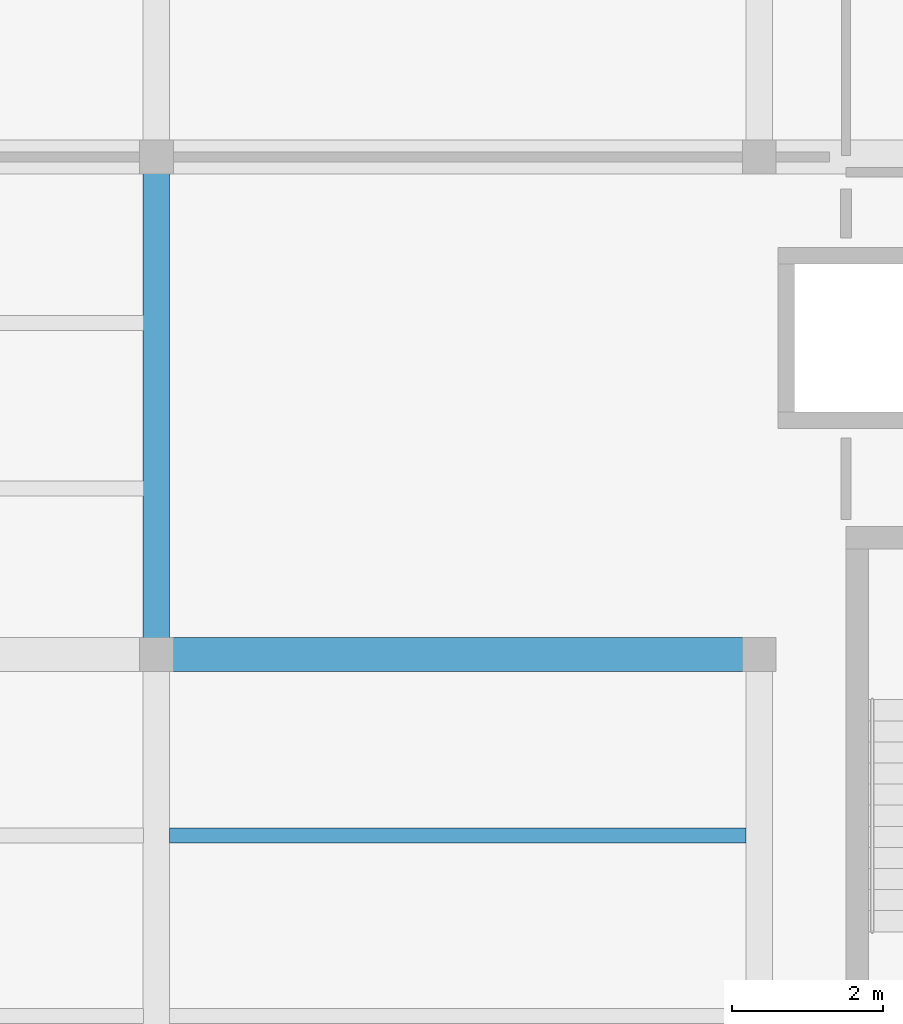
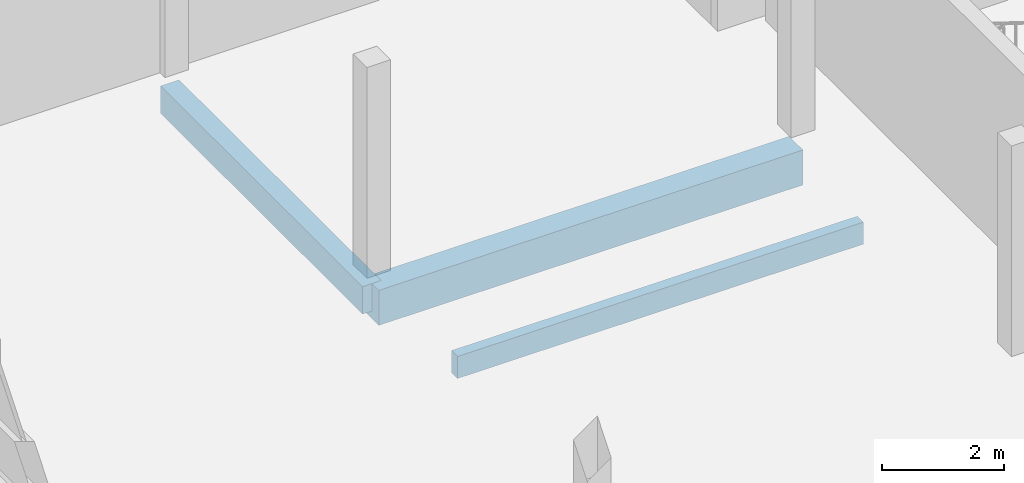
# One storey, part 40 of 182: 3 beams.
"""IFC4 building model written with IfcOpenShell, lengths in metres."""

from ifc_helpers import new_model, si_unit, direction, frame, origin, origin_2d, place, context, subcontext, project, spatial, rectangle, extrude, material, material_profile, profile_set, type_object, element, save


model = new_model("IFC4")

# Units and contexts
model_context = context("Model", 3, precision=1e-05, world=origin(), true_north=direction((0.0, 1.0)))
body_context = subcontext(model_context, "Body", "Model", "MODEL_VIEW")
ifc_project = project(units=[si_unit("LENGTHUNIT", "METRE"), si_unit("AREAUNIT", "SQUARE_METRE"), si_unit("VOLUMEUNIT", "CUBIC_METRE"), si_unit("PLANEANGLEUNIT", "RADIAN"), si_unit("MASSUNIT", "GRAM", prefix="KILO")], contexts=[model_context])

# Site, building, storey
site_placement = place(None, origin())
site = spatial("IfcSite", under=ifc_project, at=site_placement, CompositionType="ELEMENT")
building_placement = place(site_placement, origin())
building = spatial("IfcBuilding", under=site, at=building_placement, Name="Chiffa Square Polytechnic", CompositionType="ELEMENT")
storey_placement = place(building_placement, frame((0.0, 0.0, 9.60009765625)))
storey = spatial("IfcBuildingStorey", under=building, at=storey_placement, Name="L02", CompositionType="ELEMENT", Elevation=9.60009765625)

# Beams
ifc_material_1 = material(Name="Concrete C35/45", Category="concrete")
ifc_material_profile_1 = material_profile(ifc_material_1, rectangle(XDim=0.35009765625, YDim=0.550048828125, at=origin_2d()), Name="RC 350x550")
ifc_profile_set_1 = profile_set([ifc_material_profile_1], Name="Concrete C35/45")
beam_type_1 = type_object("IfcBeamType", Name="BM-RC-350X550", PredefinedType="BEAM", material=ifc_profile_set_1)
beam_1_placement = place(storey_placement, frame((8.0, 51.0, -0.59521484375), z_axis=(0.0, 1.0, 0.0), x_axis=(-1.0, 0.0, 0.0)))
element("IfcBeam", 1, at=beam_1_placement, inside=storey, type_object=beam_type_1, Name="Primary floor girder BM-V6-L02-Y-0080-0510", PredefinedType="BEAM", context=body_context, shape_type="SweptSolid", body=[
    extrude(rectangle(XDim=0.35009765625, YDim=0.550048828125, at=origin_2d()), origin(), (0.0, 0.0, 1.0), 6.60009765625),
])
ifc_material_profile_2 = material_profile(ifc_material_1, rectangle(XDim=0.449951171875, YDim=0.699951171875, at=origin_2d()), Name="RC 450x700")
ifc_profile_set_2 = profile_set([ifc_material_profile_2], Name="Concrete C35/45")
beam_type_2 = type_object("IfcBeamType", Name="BM-RC-450X700", PredefinedType="BEAM", material=ifc_profile_set_2)
beam_2_placement = place(storey_placement, frame((8.0, 51.0, -0.670166015625), z_axis=(1.0, 0.0, 0.0), x_axis=(0.0, 1.0, 0.0)))
element("IfcBeam", 2, at=beam_2_placement, inside=storey, type_object=beam_type_2, Name="Primary floor girder BM-V6-L02-X-0080-0510", PredefinedType="BEAM", context=body_context, shape_type="SweptSolid", body=[
    extrude(rectangle(XDim=0.449951171875, YDim=0.699951171875, at=origin_2d()), origin(), (0.0, 0.0, 1.0), 8.0),
])
ifc_material_2 = material(Name="Glulam GL28h", Category="wood")
ifc_material_profile_3 = material_profile(ifc_material_2, rectangle(XDim=0.199951171875, YDim=0.43994140625, at=origin_2d()), Name="GL28h 200x440")
ifc_profile_set_3 = profile_set([ifc_material_profile_3], Name="Glulam GL28h")
beam_type_3 = type_object("IfcBeamType", Name="JST-GL-200X440", PredefinedType="JOIST", material=ifc_profile_set_3)
beam_3_placement = place(storey_placement, frame((8.173095703125, 48.60009765625, -0.5400390625), z_axis=(1.0, 0.0, 0.0), x_axis=(0.0, 1.0, 0.0)))
element("IfcBeam", 3, at=beam_3_placement, inside=storey, type_object=beam_type_3, Name="Secondary floor joist JST-V6-L02-0080-0486", PredefinedType="JOIST", context=body_context, shape_type="SweptSolid", body=[
    extrude(rectangle(XDim=0.199951171875, YDim=0.43994140625, at=origin_2d()), origin(), (0.0, 0.0, 1.0), 7.65380859375),
])

save(model, "model.ifc")
